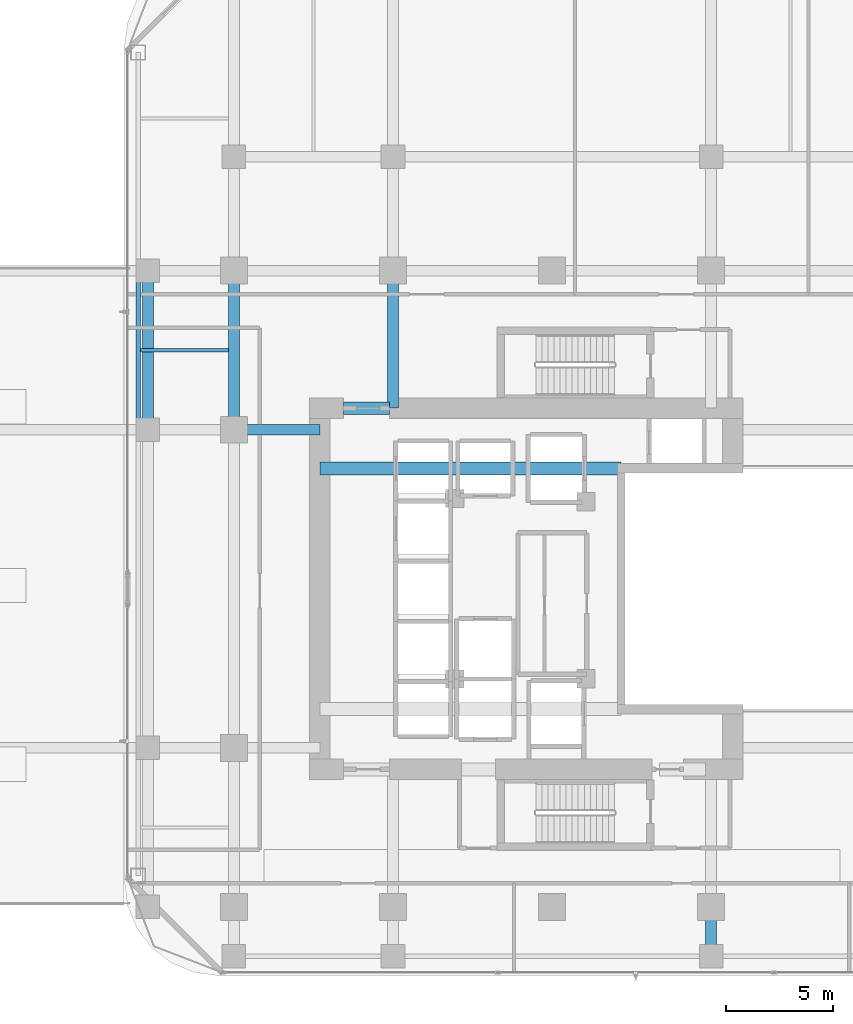
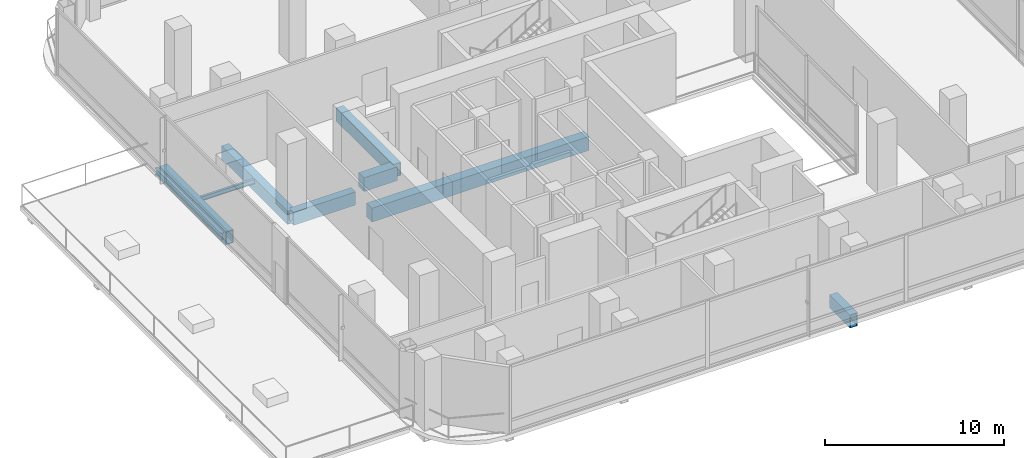
# One storey, part 7 of 28: 9 beams.
"""IFC4 building model written with IfcOpenShell, lengths in metres."""

from ifc_helpers import new_model, si_unit, direction, frame, origin, origin_2d, place, context, subcontext, project, spatial, rectangle, hollow_rectangle, i_section, extrude, material, material_profile, profile_set, type_object, element, save


model = new_model("IFC4")

# Units and contexts
model_context = context("Model", 3, precision=1e-05, world=origin(), true_north=direction((0.0, 1.0)))
body_context = subcontext(model_context, "Body", "Model", "MODEL_VIEW")
ifc_project = project(units=[si_unit("LENGTHUNIT", "METRE"), si_unit("AREAUNIT", "SQUARE_METRE"), si_unit("VOLUMEUNIT", "CUBIC_METRE"), si_unit("PLANEANGLEUNIT", "RADIAN"), si_unit("MASSUNIT", "GRAM", prefix="KILO")], contexts=[model_context])

# Site, building, storey
site_placement = place(None, origin())
site = spatial("IfcSite", under=ifc_project, at=site_placement, CompositionType="ELEMENT")
building_placement = place(site_placement, origin())
building = spatial("IfcBuilding", under=site, at=building_placement, Name="Khorvyn Point Tower", CompositionType="ELEMENT")
storey_placement = place(building_placement, frame((0.0, 0.0, 108.60009765625)))
storey = spatial("IfcBuildingStorey", under=building, at=storey_placement, Name="L27", CompositionType="ELEMENT", Elevation=108.60009765625)

# Beams
ifc_material_1 = material(Name="Concrete C50/60", Category="concrete")
ifc_material_profile_1 = material_profile(ifc_material_1, rectangle(XDim=0.60009765625, YDim=0.949951171875, at=origin_2d()))
ifc_profile_set_1 = profile_set([ifc_material_profile_1], Name="Concrete C50/60 RC600x950")
beam_type_1 = type_object("IfcBeamType", Name="Concrete C50/60 Beam RC600x950", PredefinedType="BEAM", material=ifc_profile_set_1)
beam_1_placement = place(storey_placement, frame((-10.800048828125, 5.60009765625, -0.755126953125), z_axis=(1.0, 0.0, 0.0), x_axis=(0.0, 1.0, 0.0)))
element("IfcBeam", 1, at=beam_1_placement, inside=storey, type_object=beam_type_1, Name="L27 Core Internal Tie Girder N", PredefinedType="BEAM", context=body_context, shape_type="SweptSolid", body=[
    extrude(rectangle(XDim=0.60009765625, YDim=0.949951171875, at=origin_2d()), origin(), (0.0, 0.0, 1.0), 14.02001953125),
])
beam_2_placement = place(storey_placement, frame((-9.699951171875, 8.39990234375, -0.755126953125), z_axis=(1.0, 0.0, 0.0), x_axis=(0.0, 1.0, 0.0)))
element("IfcBeam", 2, at=beam_2_placement, inside=storey, type_object=beam_type_1, Name="L27 Core Northwest Portal Coupling Beam", PredefinedType="BEAM", context=body_context, shape_type="SweptSolid", body=[
    extrude(rectangle(XDim=0.60009765625, YDim=0.949951171875, at=origin_2d()), origin(), (0.0, 0.0, 1.0), 2.14990234375),
])
ifc_material_2 = material(Name="Steel S355", Category="steel")
ifc_material_profile_2 = material_profile(ifc_material_2, i_section(OverallWidth=0.14990234375, OverallDepth=0.300048828125, WebThickness=0.006591796875, FlangeThickness=0.009033203125, at=origin_2d()))
ifc_profile_set_2 = profile_set([ifc_material_profile_2], Name="Steel S355 H300x150x6.5x9")
beam_type_2 = type_object("IfcBeamType", Name="Steel S355 Joist H300x150x6.5x9", PredefinedType="JOIST", material=ifc_profile_set_2)
beam_3_placement = place(storey_placement, frame((-19.14990234375, 11.10009765625, -0.43017578125), z_axis=(1.0, 0.0, 0.0), x_axis=(0.0, 1.0, 0.0)))
element("IfcBeam", 3, at=beam_3_placement, inside=storey, type_object=beam_type_2, Name="Beam", PredefinedType="JOIST", context=body_context, shape_type="SweptSolid", body=[
    extrude(i_section(OverallWidth=0.14990234375, OverallDepth=0.300048828125, WebThickness=0.006591796875, FlangeThickness=0.009033203125, at=origin_2d()), origin(), (0.0, 0.0, 1.0), 4.099853515625),
])
ifc_material_profile_3 = material_profile(ifc_material_2, i_section(OverallWidth=0.199951171875, OverallDepth=0.449951171875, WebThickness=0.009033203125, FlangeThickness=0.013916015625, at=origin_2d()))
ifc_profile_set_3 = profile_set([ifc_material_profile_3], Name="Steel S355 H450x200x9x14")
beam_type_3 = type_object("IfcBeamType", Name="Steel S355 Spandrel H450x200x9x14", PredefinedType="SPANDREL", material=ifc_profile_set_3)
beam_4_placement = place(storey_placement, frame((-19.25, 7.39990234375, -0.505126953125), z_axis=(0.0, 1.0, 0.0), x_axis=(-1.0, 0.0, 0.0)))
element("IfcBeam", 4, at=beam_4_placement, inside=storey, type_object=beam_type_3, Name="Beam", PredefinedType="SPANDREL", context=body_context, shape_type="SweptSolid", body=[
    extrude(i_section(OverallWidth=0.199951171875, OverallDepth=0.449951171875, WebThickness=0.009033203125, FlangeThickness=0.013916015625, at=origin_2d()), origin(), (0.0, 0.0, 1.0), 7.400146484375),
])
ifc_material_3 = material(Name="Steel S450", Category="steel")
ifc_material_profile_4 = material_profile(ifc_material_3, hollow_rectangle(XDim=0.5, YDim=0.89990234375, WallThickness=0.0400390625, at=origin_2d()))
ifc_profile_set_4 = profile_set([ifc_material_profile_4], Name="Steel S450 BOX900x500x40")
beam_type_4 = type_object("IfcBeamType", Name="Steel S450 Beam BOX900x500x40", PredefinedType="BEAM", material=ifc_profile_set_4)
beam_5_placement = place(storey_placement, frame((-14.800048828125, 7.39990234375, -0.72998046875), z_axis=(1.0, 0.0, 0.0), x_axis=(0.0, 1.0, 0.0)))
element("IfcBeam", 5, at=beam_5_placement, inside=storey, type_object=beam_type_4, Name="Beam", PredefinedType="BEAM", context=body_context, shape_type="SweptSolid", body=[
    extrude(hollow_rectangle(XDim=0.5, YDim=0.89990234375, WallThickness=0.0400390625, at=origin_2d()), origin(), (0.0, 0.0, 1.0), 4.0),
])
beam_6_placement = place(storey_placement, frame((-14.800048828125, 7.39990234375, -0.72998046875), z_axis=(0.0, 1.0, 0.0), x_axis=(-1.0, 0.0, 0.0)))
element("IfcBeam", 6, at=beam_6_placement, inside=storey, type_object=beam_type_4, Name="L27 Radial Transfer Girder", PredefinedType="BEAM", context=body_context, shape_type="SweptSolid", body=[
    extrude(hollow_rectangle(XDim=0.5, YDim=0.89990234375, WallThickness=0.0400390625, at=origin_2d()), origin(), (0.0, 0.0, 1.0), 7.400146484375),
])
beam_7_placement = place(storey_placement, frame((-7.39990234375, 8.39990234375, -0.72998046875), z_axis=(0.0, 1.0, 0.0), x_axis=(-1.0, 0.0, 0.0)))
element("IfcBeam", 7, at=beam_7_placement, inside=storey, type_object=beam_type_4, Name="Beam", PredefinedType="BEAM", context=body_context, shape_type="SweptSolid", body=[
    extrude(hollow_rectangle(XDim=0.5, YDim=0.89990234375, WallThickness=0.0400390625, at=origin_2d()), origin(), (0.0, 0.0, 1.0), 6.400146484375),
])
beam_8_placement = place(storey_placement, frame((7.39990234375, -17.10009765625, -0.72998046875), z_axis=(0.0, 1.0, 0.0), x_axis=(-1.0, 0.0, 0.0)))
element("IfcBeam", 8, at=beam_8_placement, inside=storey, type_object=beam_type_4, Name="Beam", PredefinedType="BEAM", context=body_context, shape_type="SweptSolid", body=[
    extrude(hollow_rectangle(XDim=0.5, YDim=0.89990234375, WallThickness=0.0400390625, at=origin_2d()), origin(), (0.0, 0.0, 1.0), 2.300048828125),
])
beam_9_placement = place(storey_placement, frame((-18.800048828125, 7.39990234375, -0.72998046875), z_axis=(0.0, 1.0, 0.0), x_axis=(-1.0, 0.0, 0.0)))
element("IfcBeam", 9, at=beam_9_placement, inside=storey, type_object=beam_type_4, Name="Beam", PredefinedType="BEAM", context=body_context, shape_type="SweptSolid", body=[
    extrude(hollow_rectangle(XDim=0.5, YDim=0.89990234375, WallThickness=0.0400390625, at=origin_2d()), origin(), (0.0, 0.0, 1.0), 7.400146484375),
])

save(model, "model.ifc")
